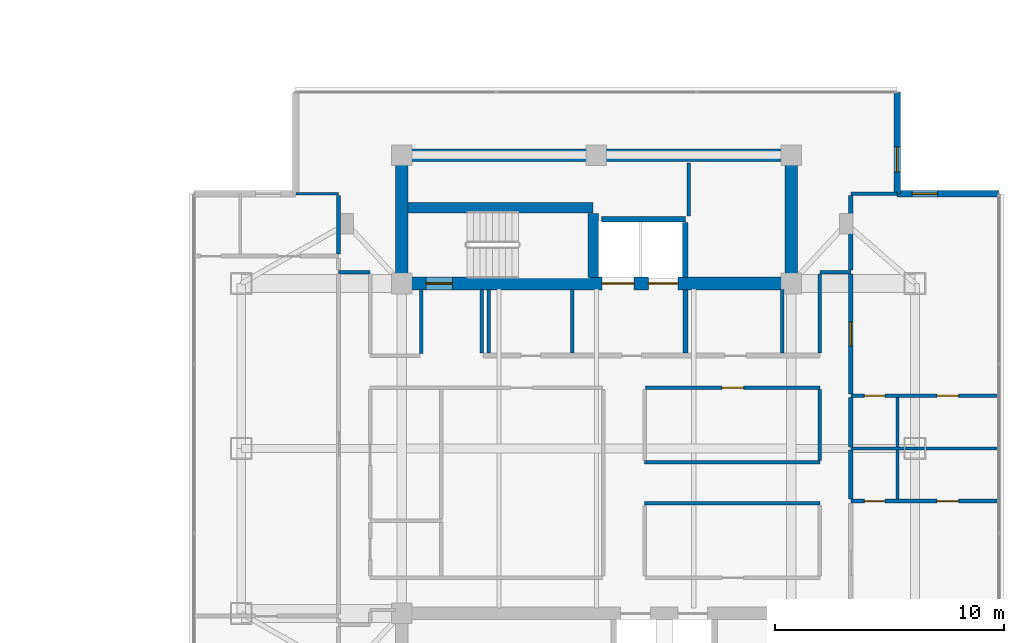
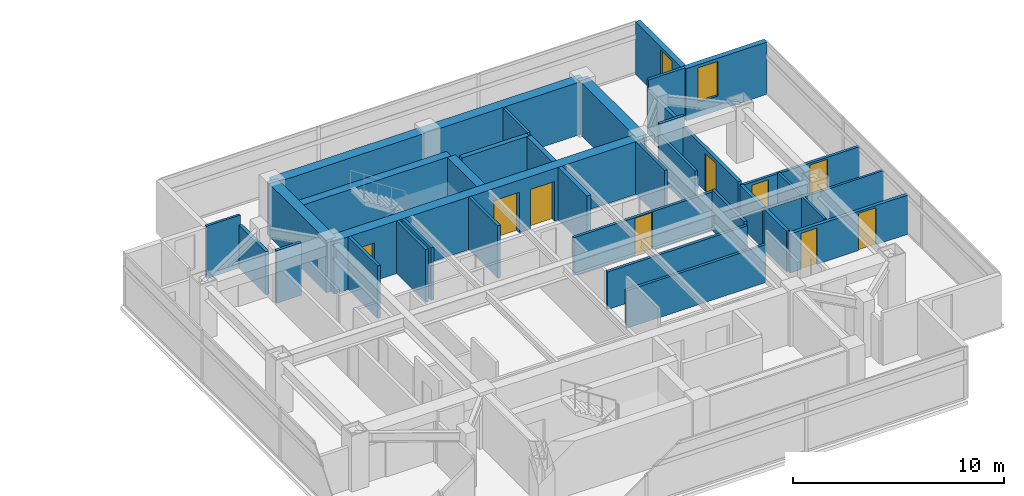
# One storey, part 17 of 24: 36 walls, 9 doors, 2 windows, 11 openings.
"""IFC4 building model written with IfcOpenShell, lengths in metres."""

import ifcopenshell
import ifcopenshell.guid

model = None  # the IFC model being written
_history = None  # IfcOwnerHistory: only IFC2X3 demands one
_inside = {}  # id of a spatial element -> (the spatial element, [elements in it])
_under = {}  # id of a project, library or spatial element -> (it, [spatial elements below it])
_declared = {}  # id of a project -> (the project, [libraries it declares])
_typed = {}  # id of a type object -> (the type object, [elements of that type])
_made_of = {}  # id of a material, layer set ... -> (it, [elements and type objects made of it])


def new_model(schema):
    """Start an empty IFC model of exactly this schema.

    Asked for "IFC4X3", IfcOpenShell would pick the latest addendum, in which some entities
    have other attributes; the version numbers below select the first issue.
    IFC2X3 requires an IfcOwnerHistory on every rooted entity: one is made here for all.
    """
    global model, _history
    if schema == "IFC4X3":
        model = ifcopenshell.file(schema_version=(4, 3, 0, 0))
    else:
        model = ifcopenshell.file(schema=schema)
    _inside.clear()
    _under.clear()
    _declared.clear()
    _typed.clear()
    _made_of.clear()
    _history = None
    if model.schema == "IFC2X3":
        org = make("IfcOrganization", Name="unknown")
        user = make(
            "IfcPersonAndOrganization",
            ThePerson=make("IfcPerson", FamilyName="unknown"),
            TheOrganization=org,
        )
        app = make(
            "IfcApplication",
            ApplicationDeveloper=org,
            Version="unknown",
            ApplicationFullName="unknown",
            ApplicationIdentifier="unknown",
        )
        _history = make(
            "IfcOwnerHistory",
            OwningUser=user,
            OwningApplication=app,
            ChangeAction="ADDED",
            CreationDate=0,
        )
    return model


def make(cls, **values):
    """One entity of the class cls with the attributes given. An attribute that is None is left unset."""
    return model.create_entity(
        cls, **{name: value for name, value in values.items() if value is not None}
    )


def rooted(cls, **values):
    """An entity with a GlobalId (a new one), such as an element, a storey or a relation."""
    return make(cls, GlobalId=ifcopenshell.guid.new(), OwnerHistory=_history, **values)


def si_unit(unit_type, name, prefix=None):
    """IfcSIUnit, for example si_unit("LENGTHUNIT", "METRE", prefix="MILLI")."""
    return make("IfcSIUnit", UnitType=unit_type, Prefix=prefix, Name=name)


def assignment(units):
    """IfcUnitAssignment: the units of a project."""
    return None if units is None else make("IfcUnitAssignment", Units=units)


def point(xyz):
    """IfcCartesianPoint."""
    return None if xyz is None else make("IfcCartesianPoint", Coordinates=xyz)


def direction(xyz):
    """IfcDirection."""
    return None if xyz is None else make("IfcDirection", DirectionRatios=xyz)


def frame(location, z_axis=None, x_axis=None):
    """IfcAxis2Placement3D, a coordinate frame: its origin and axes. An axis left out is left unset."""
    return make(
        "IfcAxis2Placement3D",
        Location=point(location),
        Axis=direction(z_axis),
        RefDirection=direction(x_axis),
    )


def frame_2d(location, x_axis=None):
    """IfcAxis2Placement2D, a coordinate frame in the plane: its origin and x axis."""
    return make(
        "IfcAxis2Placement2D", Location=point(location), RefDirection=direction(x_axis)
    )


def origin():
    """The frame at (0, 0, 0) with its axes left unset."""
    return frame((0.0, 0.0, 0.0))


def place(relative_to, where):
    """IfcLocalPlacement: puts the frame where relative to a parent placement (None: the world)."""
    return make(
        "IfcLocalPlacement", PlacementRelTo=relative_to, RelativePlacement=where
    )


def context(
    kind, dimensions, precision=None, world=None, true_north=None, identifier=None
):
    """IfcGeometricRepresentationContext, for example the 3D "Model" context."""
    return make(
        "IfcGeometricRepresentationContext",
        ContextIdentifier=identifier,
        ContextType=kind,
        CoordinateSpaceDimension=dimensions,
        Precision=precision,
        WorldCoordinateSystem=world,
        TrueNorth=true_north,
    )


def subcontext(parent, identifier, kind, view, scale=None):
    """IfcGeometricRepresentationSubContext, for example "Body" below "Model"."""
    return make(
        "IfcGeometricRepresentationSubContext",
        ContextIdentifier=identifier,
        ContextType=kind,
        ParentContext=parent,
        TargetScale=scale,
        TargetView=view,
    )


def project(units=None, contexts=None):
    """IfcProject with its units and contexts."""
    return rooted(
        "IfcProject",
        Name="project",
        RepresentationContexts=contexts,
        UnitsInContext=assignment(units),
    )


def spatial(cls, under=None, at=None, **own):
    """A site, building, storey or space (cls), placed at a placement, below another one or the project."""
    s = rooted(cls, ObjectPlacement=at, **own)
    if under is not None:
        _under.setdefault(under.id(), (under, []))[1].append(s)
    return s


def profile(cls, at=None, kind="AREA", **sizes):
    """A parametric profile (cls). Its sizes go by their IFC names, for example OverallWidth=200.0."""
    return make(cls, ProfileType=kind, Position=at, **sizes)


def rectangle(**sizes):
    """IfcRectangleProfileDef."""
    return profile("IfcRectangleProfileDef", **sizes)


def extrude(swept, where, along, depth):
    """IfcExtrudedAreaSolid: the profile swept, set in the frame where, extruded along a direction by depth."""
    return make(
        "IfcExtrudedAreaSolid",
        SweptArea=swept,
        Position=where,
        ExtrudedDirection=direction(along),
        Depth=depth,
    )


def shape(context_of_items, identifier, shape_type, items):
    """IfcShapeRepresentation: the items that make up one representation, for example the "Body"."""
    return make(
        "IfcShapeRepresentation",
        ContextOfItems=context_of_items,
        RepresentationIdentifier=identifier,
        RepresentationType=shape_type,
        Items=items,
    )


def material(Name=None, Category=None):
    """IfcMaterial."""
    return make("IfcMaterial", Name=Name, Category=Category)


def layer(
    of_material, thickness, ventilated=None, Name=None, Category=None, Priority=None
):
    """IfcMaterialLayer: one layer of a wall or slab, of a material (None: an air gap)."""
    return make(
        "IfcMaterialLayer",
        Material=of_material,
        LayerThickness=thickness,
        IsVentilated=ventilated,
        Name=Name,
        Category=Category,
        Priority=Priority,
    )


def layer_set(layers, Name=None):
    """IfcMaterialLayerSet."""
    return make("IfcMaterialLayerSet", MaterialLayers=layers, LayerSetName=Name)


def made_of(thing, what):
    """Note that an element or type object is made of a material, layer set ...; save() writes the relation."""
    if what is not None:
        _made_of.setdefault(what.id(), (what, []))[1].append(thing)
    return thing


def type_object(cls, material=None, **own):
    """A type object (cls), such as IfcWallType, which elements share."""
    return made_of(rooted(cls, **own), material)


def element(
    cls,
    number,
    at=None,
    inside=None,
    cuts=None,
    type_object=None,
    material=None,
    context=None,
    identifier="Body",
    shape_type=None,
    held_by="IfcProductDefinitionShape",
    body=None,
    shapes=None,
    **own,
):
    """One element of the class cls, such as IfcWall. Its Tag is "e" and its number.

    at: its placement. inside: the storey or other place that contains it. cuts: it is an
    opening in that element (IfcRelVoidsElement). A single representation is given by context,
    identifier, shape_type and body (its items); several are given by shapes. held_by: the class
    of the entity that holds the representations. save() writes the other relations.
    """
    e = rooted(cls, Tag="e%d" % number, ObjectPlacement=at, **own)
    if body is not None:
        shapes = [shape(context, identifier, shape_type, body)]
    if shapes is not None:
        e.Representation = make(held_by, Representations=shapes)
    if inside is not None:
        _inside.setdefault(inside.id(), (inside, []))[1].append(e)
    if cuts is not None:
        rooted(
            "IfcRelVoidsElement", RelatingBuildingElement=cuts, RelatedOpeningElement=e
        )
    if type_object is not None:
        _typed.setdefault(type_object.id(), (type_object, []))[1].append(e)
    return made_of(e, material)


def fill(opening, filler):
    """IfcRelFillsElement: the door or window that sits in an opening."""
    return rooted(
        "IfcRelFillsElement",
        RelatingOpeningElement=opening,
        RelatedBuildingElement=filler,
    )


def aggregate(whole, parts):
    """IfcRelAggregates: a whole, such as a stair, and the parts it consists of."""
    return rooted("IfcRelAggregates", RelatingObject=whole, RelatedObjects=parts)


def save(model, path):
    """Write the relations noted so far, then the file.

    IfcRelAggregates (storeys below a building ...), IfcRelContainedInSpatialStructure (elements
    in a storey), IfcRelDefinesByType, IfcRelAssociatesMaterial and IfcRelDeclares: one each for
    every whole, place, type object, material and project.
    """
    for whole, parts in _under.values():
        aggregate(whole, parts)
    for where, things in _inside.values():
        rooted(
            "IfcRelContainedInSpatialStructure",
            RelatedElements=things,
            RelatingStructure=where,
        )
    for kind, things in _typed.values():
        rooted("IfcRelDefinesByType", RelatedObjects=things, RelatingType=kind)
    for what, things in _made_of.values():
        rooted("IfcRelAssociatesMaterial", RelatedObjects=things, RelatingMaterial=what)
    for by, libraries in _declared.values():
        rooted("IfcRelDeclares", RelatingContext=by, RelatedDefinitions=libraries)
    model.write(path)


model = new_model("IFC4")

# Units and contexts
model_context = context("Model", 3, precision=1e-05, world=origin(), true_north=direction((0.0, 1.0)))
body_context = subcontext(model_context, "Body", "Model", "MODEL_VIEW")
ifc_project = project(units=[si_unit("LENGTHUNIT", "METRE"), si_unit("AREAUNIT", "SQUARE_METRE"), si_unit("VOLUMEUNIT", "CUBIC_METRE"), si_unit("PLANEANGLEUNIT", "RADIAN"), si_unit("MASSUNIT", "GRAM", prefix="KILO")], contexts=[model_context])

# Site, building, storey
site_placement = place(None, origin())
site = spatial("IfcSite", under=ifc_project, at=site_placement, CompositionType="ELEMENT")
building_placement = place(site_placement, origin())
building = spatial("IfcBuilding", under=site, at=building_placement, Name="Mirazonda Arch Towers", CompositionType="ELEMENT")
storey_placement = place(building_placement, frame((0.0, 0.0, 199.89990234375)))
storey = spatial("IfcBuildingStorey", under=building, at=storey_placement, Name="L57", CompositionType="ELEMENT", Elevation=199.89990234375)

# Walls
ifc_material_1 = material(Name="Concrete C50/60", Category="concrete")
ifc_layer_1 = layer(ifc_material_1, 0.449951171875, Name="WALL-CORE-450")
ifc_layer_set_1 = layer_set([ifc_layer_1], Name="Concrete C50/60")
wall_type_1 = type_object("IfcWallType", Name="WALL-CORE-450", PredefinedType="SHEAR", material=ifc_layer_set_1)
wall_1_placement = place(storey_placement, frame((68.27001953125, 38.5, 0.0), z_axis=(0.0, 0.0, 1.0), x_axis=(1.0, 0.0, 0.0)))
element("IfcWall", 1, at=wall_1_placement, inside=storey, type_object=wall_type_1, Name="L57 Stair Core Shear Wall 046", PredefinedType="SHEAR", context=body_context, shape_type="SweptSolid", body=[
    extrude(rectangle(XDim=8.090087890625, YDim=0.449951171875, at=frame_2d((4.044921875, 0.0))), origin(), (0.0, 0.0, 1.0), 3.050048828125),
])
wall_2_placement = place(storey_placement, frame((76.360107421875, 35.469970703125, 0.0), z_axis=(0.0, 0.0, 1.0), x_axis=(0.0, 1.0, 0.0)))
element("IfcWall", 2, at=wall_2_placement, inside=storey, type_object=wall_type_1, Name="L57 Stair Core Shear Wall 124", PredefinedType="SHEAR", context=body_context, shape_type="SweptSolid", body=[
    extrude(rectangle(XDim=2.794921875, YDim=0.449951171875, at=frame_2d((1.3974609375, 0.0))), origin(), (0.0, 0.0, 1.0), 3.050048828125),
])
ifc_layer_2 = layer(ifc_material_1, 0.550048828125, Name="WALL-CORE-550")
ifc_layer_set_2 = layer_set([ifc_layer_2], Name="Concrete C50/60")
wall_type_2 = type_object("IfcWallType", Name="WALL-CORE-550", PredefinedType="SHEAR", material=ifc_layer_set_2)
wall_3_placement = place(storey_placement, frame((68.0, 40.800048828125, 0.0), z_axis=(0.0, 0.0, 1.0), x_axis=(1.0, 0.0, 0.0)))
element("IfcWall", 3, at=wall_3_placement, inside=storey, type_object=wall_type_2, Name="L57 T2N-N Core Shear Wall", PredefinedType="SHEAR", context=body_context, shape_type="SweptSolid", body=[
    extrude(rectangle(XDim=17.0, YDim=0.550048828125, at=frame_2d((8.5, 0.0))), origin(), (0.0, 0.0, 1.0), 3.050048828125),
])
for number, where, z_axis, x_axis, name in (
    (4, (68.0, 35.199951171875, 0.0), (0.0, 0.0, 1.0), (0.0, 1.0, 0.0), "L57 T2N-W Core Shear Wall"),
    (5, (85.0, 35.199951171875, 0.0), (0.0, 0.0, 1.0), (0.0, 1.0, 0.0), "L57 T2N-E Core Shear Wall"),
):
    element("IfcWall", number, at=place(storey_placement, frame(where, z_axis=z_axis, x_axis=x_axis)), inside=storey, type_object=wall_type_2, Name=name, PredefinedType="SHEAR", context=body_context, shape_type="SweptSolid", body=[
        extrude(rectangle(XDim=5.60009765625, YDim=0.550048828125, at=frame_2d((2.800048828125, 0.0))), origin(), (0.0, 0.0, 1.0), 3.050048828125),
    ])

# Wall, openings, doors
wall_4_placement = place(storey_placement, frame((68.0, 35.199951171875, 0.0), z_axis=(0.0, 0.0, 1.0), x_axis=(1.0, 0.0, 0.0)))
wall_4 = element("IfcWall", 6, at=wall_4_placement, inside=storey, type_object=wall_type_2, Name="L57 T2N-S Core Shear Wall", PredefinedType="SHEAR", context=body_context, shape_type="SweptSolid", body=[
    extrude(rectangle(XDim=17.0, YDim=0.550048828125, at=frame_2d((8.5, 0.0))), origin(), (0.0, 0.0, 1.0), 3.050048828125),
])
opening_1_placement = place(wall_4_placement, frame((1.06005859375, 0.0, 0.0)))
opening_1 = element("IfcOpeningElement", 7, at=opening_1_placement, cuts=wall_4, Name="Opening DR-135", PredefinedType="OPENING", context=body_context, shape_type="SweptSolid", body=[
    extrude(rectangle(XDim=1.14990234375, YDim=2.199951171875, at=frame_2d((0.574951171875, 1.10009765625))), frame((0.0, 0.284912109375, 0.0), z_axis=(0.0, -1.0, 0.0), x_axis=(1.0, 0.0, 0.0)), (0.0, 0.0, 1.0), 0.570068359375),
])
opening_2_placement = place(wall_4_placement, frame((8.75, 0.0, 0.0)))
opening_2 = element("IfcOpeningElement", 8, at=opening_2_placement, cuts=wall_4, Name="Opening LD-112", PredefinedType="OPENING", context=body_context, shape_type="SweptSolid", body=[
    extrude(rectangle(XDim=1.39990234375, YDim=2.35009765625, at=frame_2d((0.699951171875, 1.175048828125))), frame((0.0, 0.284912109375, 0.0), z_axis=(0.0, -1.0, 0.0), x_axis=(1.0, 0.0, 0.0)), (0.0, 0.0, 1.0), 0.570068359375),
])
opening_3_placement = place(wall_4_placement, frame((10.77001953125, 0.0, 0.0)))
opening_3 = element("IfcOpeningElement", 9, at=opening_3_placement, cuts=wall_4, Name="Opening LD-111", PredefinedType="OPENING", context=body_context, shape_type="SweptSolid", body=[
    extrude(rectangle(XDim=1.300048828125, YDim=2.300048828125, at=frame_2d((0.64990234375, 1.14990234375))), frame((0.0, 0.284912109375, 0.0), z_axis=(0.0, -1.0, 0.0), x_axis=(1.0, 0.0, 0.0)), (0.0, 0.0, 1.0), 0.570068359375),
])
ifc_material_2 = material(Name="Architectural Brushed Steel S355", Category="steel")
door_type_1 = type_object("IfcDoorType", Name="DOOR-LIFT-FFL-1400", OperationType="NOTDEFINED", PredefinedType="DOOR", material=ifc_material_2)
door_1_placement = place(opening_2_placement, origin())
door_1 = element("IfcDoor", 10, at=door_1_placement, inside=storey, type_object=door_type_1, Name="L57 Lift Landing Sliding Door FFL-T2", OperationType="DOUBLE_DOOR_SLIDING", OverallHeight=2.35009765625, OverallWidth=1.39990234375, PredefinedType="DOOR", context=body_context, shape_type="SweptSolid", body=[
    extrude(rectangle(XDim=1.39990234375, YDim=2.35009765625, at=frame_2d((0.699951171875, 1.175048828125))), frame((0.0, 0.02490234375, 0.0), z_axis=(0.0, -1.0, 0.0), x_axis=(1.0, 0.0, 0.0)), (0.0, 0.0, 1.0), 0.050048828125),
])
fill(opening_2, door_1)
door_type_2 = type_object("IfcDoorType", Name="DOOR-LIFT-LAND-1300", OperationType="NOTDEFINED", PredefinedType="DOOR", material=ifc_material_2)
door_2_placement = place(opening_3_placement, origin())
door_2 = element("IfcDoor", 11, at=door_2_placement, inside=storey, type_object=door_type_2, Name="L57 Lift Landing Sliding Door SVL-T2", OperationType="DOUBLE_DOOR_SLIDING", OverallHeight=2.300048828125, OverallWidth=1.300048828125, PredefinedType="DOOR", context=body_context, shape_type="SweptSolid", body=[
    extrude(rectangle(XDim=1.300048828125, YDim=2.300048828125, at=frame_2d((0.64990234375, 1.14990234375))), frame((0.0, 0.02490234375, 0.0), z_axis=(0.0, -1.0, 0.0), x_axis=(1.0, 0.0, 0.0)), (0.0, 0.0, 1.0), 0.050048828125),
])
fill(opening_3, door_2)
door_type_3 = type_object("IfcDoorType", Name="DOOR-STAIR-FD90-1150", OperationType="NOTDEFINED", PredefinedType="DOOR", material=ifc_material_2)
door_3_placement = place(opening_1_placement, origin())
door_3 = element("IfcDoor", 12, at=door_3_placement, inside=storey, type_object=door_type_3, Name="L57 East Protected Stair North Door", OperationType="SINGLE_SWING_LEFT", OverallHeight=2.199951171875, OverallWidth=1.14990234375, PredefinedType="DOOR", context=body_context, shape_type="SweptSolid", body=[
    extrude(rectangle(XDim=1.14990234375, YDim=2.199951171875, at=frame_2d((0.574951171875, 1.10009765625))), frame((0.0, 0.02490234375, 0.0), z_axis=(0.0, -1.0, 0.0), x_axis=(1.0, 0.0, 0.0)), (0.0, 0.0, 1.0), 0.050048828125),
])
fill(opening_1, door_3)

# Wall, opening, window
ifc_material_3 = material(Name="Precast Concrete C40/50", Category="concrete")
ifc_layer_3 = layer(ifc_material_3, 0.280029296875, Name="WALL-EXT-WALL-280")
ifc_layer_set_3 = layer_set([ifc_layer_3], Name="Precast Concrete C40/50")
wall_type_3 = type_object("IfcWallType", Name="WALL-EXT-WALL-280", PredefinedType="SOLIDWALL", material=ifc_layer_set_3)
wall_5_placement = place(storey_placement, frame((89.627685546875, 39.115234375, 0.0), z_axis=(0.0, 0.0, 1.0), x_axis=(0.0, 1.0, 0.0)))
wall_5 = element("IfcWall", 13, at=wall_5_placement, inside=storey, type_object=wall_type_3, Name="L57 T2 Notched NE Corner Wall WL-L57-T2-CNE", PredefinedType="SOLIDWALL", context=body_context, shape_type="SweptSolid", body=[
    extrude(rectangle(XDim=4.439697265625, YDim=0.280029296875, at=frame_2d((2.2197265625, 0.0))), origin(), (0.0, 0.0, 1.0), 3.030029296875),
])
opening_4_placement = place(wall_5_placement, frame((0.949951171875, 0.0, 0.85009765625)))
opening_4 = element("IfcOpeningElement", 14, at=opening_4_placement, cuts=wall_5, Name="Opening WN-108", PredefinedType="OPENING", context=body_context, shape_type="SweptSolid", body=[
    extrude(rectangle(XDim=1.10009765625, YDim=2.0, at=frame_2d((0.550048828125, 1.0))), frame((0.0, 0.14990234375, 0.0), z_axis=(0.0, -1.0, 0.0), x_axis=(1.0, 0.0, 0.0)), (0.0, 0.0, 1.0), 0.300048828125),
])
ifc_material_4 = material(Name="Insulated Low-E Solar Glass", Category="glass")
window_type = type_object("IfcWindowType", Name="WIN-NOTCH-1100x2000", PartitioningType="SINGLE_PANEL", PredefinedType="WINDOW", material=ifc_material_4)
window_1_placement = place(opening_4_placement, origin())
window_1 = element("IfcWindow", 15, at=window_1_placement, inside=storey, type_object=window_type, Name="L57 Punched Facade Window WN-L57-T2-CNE", OverallHeight=2.0, OverallWidth=1.10009765625, PartitioningType="SINGLE_PANEL", PredefinedType="WINDOW", context=body_context, shape_type="SweptSolid", body=[
    extrude(rectangle(XDim=1.10009765625, YDim=2.0, at=frame_2d((0.550048828125, 1.0))), frame((0.0, 0.030029296875, 0.0), z_axis=(0.0, -1.0, 0.0), x_axis=(1.0, 0.0, 0.0)), (0.0, 0.0, 1.0), 0.06005859375),
])
fill(opening_4, window_1)

wall_6_placement = place(storey_placement, frame((94.0673828125, 39.115234375, 0.0), z_axis=(0.0, 0.0, 1.0), x_axis=(-1.0, 0.0, 0.0)))
wall_6 = element("IfcWall", 16, at=wall_6_placement, inside=storey, type_object=wall_type_3, Name="L57 T2 Corner Notch Return Wall WL-L57-T2-CNE2", PredefinedType="SOLIDWALL", context=body_context, shape_type="SweptSolid", body=[
    extrude(rectangle(XDim=4.439697265625, YDim=0.280029296875, at=frame_2d((2.2197265625, 0.0))), origin(), (0.0, 0.0, 1.0), 3.030029296875),
])
opening_5_placement = place(wall_6_placement, frame((2.68994140625, 0.0, 0.85009765625)))
opening_5 = element("IfcOpeningElement", 17, at=opening_5_placement, cuts=wall_6, Name="Opening WN-108", PredefinedType="OPENING", context=body_context, shape_type="SweptSolid", body=[
    extrude(rectangle(XDim=1.10009765625, YDim=2.0, at=frame_2d((0.550048828125, 1.0))), frame((0.0, 0.14990234375, 0.0), z_axis=(0.0, -1.0, 0.0), x_axis=(1.0, 0.0, 0.0)), (0.0, 0.0, 1.0), 0.300048828125),
])
window_2_placement = place(opening_5_placement, origin())
window_2 = element("IfcWindow", 18, at=window_2_placement, inside=storey, type_object=window_type, Name="L57 Punched Facade Window WN-L57-T2-CNE2", OverallHeight=2.0, OverallWidth=1.10009765625, PartitioningType="SINGLE_PANEL", PredefinedType="WINDOW", context=body_context, shape_type="SweptSolid", body=[
    extrude(rectangle(XDim=1.10009765625, YDim=2.0, at=frame_2d((0.550048828125, 1.0))), frame((0.0, 0.030029296875, 0.0), z_axis=(0.0, -1.0, 0.0), x_axis=(1.0, 0.0, 0.0)), (0.0, 0.0, 1.0), 0.06005859375),
])
fill(opening_5, window_2)

# Walls
ifc_material_5 = material(Name="Concrete C40/50", Category="concrete")
ifc_layer_4 = layer(ifc_material_5, 0.219970703125, Name="WALL-FFL-220")
ifc_layer_set_4 = layer_set([ifc_layer_4], Name="Concrete C40/50")
wall_type_4 = type_object("IfcWallType", Name="WALL-FFL-220", PredefinedType="SOLIDWALL", material=ifc_layer_set_4)
wall_7_placement = place(storey_placement, frame((80.3798828125, 32.169921875, 0.0), z_axis=(0.0, 0.0, 1.0), x_axis=(0.0, 1.0, 0.0)))
element("IfcWall", 19, at=wall_7_placement, inside=storey, type_object=wall_type_4, Name="L57 Interior Partition 129", PredefinedType="SOLIDWALL", context=body_context, shape_type="SweptSolid", body=[
    extrude(rectangle(XDim=2.760009765625, YDim=0.219970703125, at=frame_2d((1.3798828125, 0.0))), origin(), (0.0, 0.0, 1.0), 3.050048828125),
])
ifc_material_6 = material(Name="Fire-Rated Gypsum Stud Partition")
ifc_layer_5 = layer(ifc_material_6, 0.14990234375, Name="WALL-PART-CORR-150")
ifc_layer_set_5 = layer_set([ifc_layer_5], Name="Fire-Rated Gypsum Stud Partition")
wall_type_5 = type_object("IfcWallType", Name="WALL-PART-CORR-150", PredefinedType="PARTITIONING", material=ifc_layer_set_5)
for number, where, z_axis, x_axis, name in (
    (20, (78.60009765625, 25.60009765625, 0.0), (0.0, 0.0, 1.0), (1.0, 0.0, 0.0), "L57 Interior Partition 026"),
    (21, (78.60009765625, 27.39990234375, 0.0), (0.0, 0.0, 1.0), (1.0, 0.0, 0.0), "L57 Interior Partition 028"),
):
    element("IfcWall", number, at=place(storey_placement, frame(where, z_axis=z_axis, x_axis=x_axis)), inside=storey, type_object=wall_type_5, Name=name, PredefinedType="PARTITIONING", context=body_context, shape_type="SweptSolid", body=[
        extrude(rectangle(XDim=7.64990234375, YDim=0.14990234375, at=frame_2d((3.824951171875, 0.0))), origin(), (0.0, 0.0, 1.0), 2.18603515625),
    ])

# Wall, openings, doors
wall_8_placement = place(storey_placement, frame((87.60009765625, 30.300048828125, 0.0), z_axis=(0.0, 0.0, 1.0), x_axis=(1.0, 0.0, 0.0)))
wall_8 = element("IfcWall", 22, at=wall_8_placement, inside=storey, type_object=wall_type_5, Name="L57 Interior Partition 032", PredefinedType="PARTITIONING", context=body_context, shape_type="SweptSolid", body=[
    extrude(rectangle(XDim=6.466796875, YDim=0.14990234375, at=frame_2d((3.2333984375, 0.0))), origin(), (0.0, 0.0, 1.0), 2.26904296875),
])
opening_6_placement = place(wall_8_placement, frame((3.758544921875, 0.0, 0.0)))
opening_6 = element("IfcOpeningElement", 23, at=opening_6_placement, cuts=wall_8, Name="Opening DR-104", PredefinedType="OPENING", context=body_context, shape_type="SweptSolid", body=[
    extrude(rectangle(XDim=0.949951171875, YDim=2.14990234375, at=frame_2d((0.47509765625, 1.074951171875))), frame((0.0, 0.0849609375, 0.0), z_axis=(0.0, -1.0, 0.0), x_axis=(1.0, 0.0, 0.0)), (0.0, 0.0, 1.0), 0.169921875),
])
opening_7_placement = place(wall_8_placement, frame((0.590087890625, 0.0, 0.0)))
opening_7 = element("IfcOpeningElement", 24, at=opening_7_placement, cuts=wall_8, Name="Opening DR-120", PredefinedType="OPENING", context=body_context, shape_type="SweptSolid", body=[
    extrude(rectangle(XDim=0.89990234375, YDim=2.10009765625, at=frame_2d((0.449951171875, 1.050048828125))), frame((0.0, 0.0849609375, 0.0), z_axis=(0.0, -1.0, 0.0), x_axis=(1.0, 0.0, 0.0)), (0.0, 0.0, 1.0), 0.169921875),
])
door_type_4 = type_object("IfcDoorType", Name="DOOR-ROOM-950", OperationType="NOTDEFINED", PredefinedType="DOOR", material=ifc_material_2)
door_4_placement = place(opening_6_placement, origin())
door_4 = element("IfcDoor", 25, at=door_4_placement, inside=storey, type_object=door_type_4, Name="L57 Studio 2 Galley Kitchen Door", OperationType="SINGLE_SWING_LEFT", OverallHeight=2.14990234375, OverallWidth=0.949951171875, PredefinedType="DOOR", context=body_context, shape_type="SweptSolid", body=[
    extrude(rectangle(XDim=0.949951171875, YDim=2.14990234375, at=frame_2d((0.47509765625, 1.074951171875))), frame((0.0, 0.02490234375, 0.0), z_axis=(0.0, -1.0, 0.0), x_axis=(1.0, 0.0, 0.0)), (0.0, 0.0, 1.0), 0.050048828125),
])
fill(opening_6, door_4)
door_type_5 = type_object("IfcDoorType", Name="DOOR-WC-900", OperationType="NOTDEFINED", PredefinedType="DOOR", material=ifc_material_2)
door_5_placement = place(opening_7_placement, origin())
door_5 = element("IfcDoor", 26, at=door_5_placement, inside=storey, type_object=door_type_5, Name="L57 Studio 2 Bathroom Door", OperationType="SINGLE_SWING_RIGHT", OverallHeight=2.10009765625, OverallWidth=0.89990234375, PredefinedType="DOOR", context=body_context, shape_type="SweptSolid", body=[
    extrude(rectangle(XDim=0.89990234375, YDim=2.10009765625, at=frame_2d((0.449951171875, 1.050048828125))), frame((0.0, 0.02490234375, 0.0), z_axis=(0.0, -1.0, 0.0), x_axis=(1.0, 0.0, 0.0)), (0.0, 0.0, 1.0), 0.050048828125),
])
fill(opening_7, door_5)

# Wall, opening, door
wall_9_placement = place(storey_placement, frame((78.639892578125, 30.64990234375, 0.0), z_axis=(0.0, 0.0, 1.0), x_axis=(1.0, 0.0, 0.0)))
wall_9 = element("IfcWall", 27, at=wall_9_placement, inside=storey, type_object=wall_type_5, Name="L57 Interior Partition 034", PredefinedType="PARTITIONING", context=body_context, shape_type="SweptSolid", body=[
    extrude(rectangle(XDim=7.610107421875, YDim=0.14990234375, at=frame_2d((3.80517578125, 0.0))), origin(), (0.0, 0.0, 1.0), 2.18603515625),
])
opening_8_placement = place(wall_9_placement, frame((3.330078125, 0.0, 0.0)))
opening_8 = element("IfcOpeningElement", 28, at=opening_8_placement, cuts=wall_9, Name="Opening DR-104", PredefinedType="OPENING", context=body_context, shape_type="SweptSolid", body=[
    extrude(rectangle(XDim=0.949951171875, YDim=2.14990234375, at=frame_2d((0.47509765625, 1.074951171875))), frame((0.0, 0.0849609375, 0.0), z_axis=(0.0, -1.0, 0.0), x_axis=(1.0, 0.0, 0.0)), (0.0, 0.0, 1.0), 0.169921875),
])
door_6_placement = place(opening_8_placement, origin())
door_6 = element("IfcDoor", 29, at=door_6_placement, inside=storey, type_object=door_type_4, Name="L57 L57 Tower 2 North-East Study Door", OperationType="SINGLE_SWING_RIGHT", OverallHeight=2.14990234375, OverallWidth=0.949951171875, PredefinedType="DOOR", context=body_context, shape_type="SweptSolid", body=[
    extrude(rectangle(XDim=0.949951171875, YDim=2.14990234375, at=frame_2d((0.47509765625, 1.074951171875))), frame((0.0, 0.02490234375, 0.0), z_axis=(0.0, -1.0, 0.0), x_axis=(1.0, 0.0, 0.0)), (0.0, 0.0, 1.0), 0.050048828125),
])
fill(opening_8, door_6)

# Walls
wall_10_placement = place(storey_placement, frame((65.25, 35.699951171875, 0.0), z_axis=(0.0, 0.0, 1.0), x_axis=(1.0, 0.0, 0.0)))
element("IfcWall", 30, at=wall_10_placement, inside=storey, type_object=wall_type_5, Name="L57 Interior Partition 042", PredefinedType="PARTITIONING", context=body_context, shape_type="SweptSolid", body=[
    extrude(rectangle(XDim=1.3701171875, YDim=0.14990234375, at=frame_2d((0.68505859375, 0.0))), origin(), (0.0, 0.0, 1.0), 3.050048828125),
])
wall_11_placement = place(storey_placement, frame((86.25, 35.699951171875, 0.0), z_axis=(0.0, 0.0, 1.0), x_axis=(1.0, 0.0, 0.0)))
element("IfcWall", 31, at=wall_11_placement, inside=storey, type_object=wall_type_5, Name="L57 Interior Partition 043", PredefinedType="PARTITIONING", context=body_context, shape_type="SweptSolid", body=[
    extrude(rectangle(XDim=1.35009765625, YDim=0.14990234375, at=frame_2d((0.675048828125, 0.0))), origin(), (0.0, 0.0, 1.0), 3.050048828125),
])
wall_12_placement = place(storey_placement, frame((87.60009765625, 39.114990234375, 0.0), z_axis=(0.0, 0.0, 1.0), x_axis=(1.0, 0.0, 0.0)))
element("IfcWall", 32, at=wall_12_placement, inside=storey, type_object=wall_type_5, Name="L57 Interior Partition 048", PredefinedType="PARTITIONING", context=body_context, shape_type="SweptSolid", body=[
    extrude(rectangle(XDim=2.0078125, YDim=0.14990234375, at=frame_2d((1.00390625, 0.0))), origin(), (0.0, 0.0, 1.0), 3.050048828125),
])
wall_13_placement = place(storey_placement, frame((68.85009765625, 32.135009765625, 0.0), z_axis=(0.0, 0.0, 1.0), x_axis=(0.0, 1.0, 0.0)))
element("IfcWall", 33, at=wall_13_placement, inside=storey, type_object=wall_type_5, Name="L57 Interior Partition 117", PredefinedType="PARTITIONING", context=body_context, shape_type="SweptSolid", body=[
    extrude(rectangle(XDim=2.794921875, YDim=0.14990234375, at=frame_2d((1.3974609375, 0.0))), origin(), (0.0, 0.0, 1.0), 3.050048828125),
])
for number, where, z_axis, x_axis, name in (
    (34, (71.5, 32.169921875, 0.0), (0.0, 0.0, 1.0), (0.0, 1.0, 0.0), "L57 Interior Partition 120"),
    (35, (71.800048828125, 32.169921875, 0.0), (0.0, 0.0, 1.0), (0.0, 1.0, 0.0), "L57 Interior Partition 121"),
    (36, (75.449951171875, 32.169921875, 0.0), (0.0, 0.0, 1.0), (0.0, 1.0, 0.0), "L57 Interior Partition 122"),
):
    element("IfcWall", number, at=place(storey_placement, frame(where, z_axis=z_axis, x_axis=x_axis)), inside=storey, type_object=wall_type_5, Name=name, PredefinedType="PARTITIONING", context=body_context, shape_type="SweptSolid", body=[
        extrude(rectangle(XDim=2.760009765625, YDim=0.14990234375, at=frame_2d((1.3798828125, 0.0))), origin(), (0.0, 0.0, 1.0), 3.050048828125),
    ])
wall_14_placement = place(storey_placement, frame((80.52001953125, 38.135009765625, 0.0), z_axis=(0.0, 0.0, 1.0), x_axis=(0.0, 1.0, 0.0)))
element("IfcWall", 37, at=wall_14_placement, inside=storey, type_object=wall_type_5, Name="L57 Interior Partition 131", PredefinedType="PARTITIONING", context=body_context, shape_type="SweptSolid", body=[
    extrude(rectangle(XDim=2.31494140625, YDim=0.14990234375, at=frame_2d((1.157470703125, 0.0))), origin(), (0.0, 0.0, 1.0), 3.050048828125),
])
wall_15_placement = place(storey_placement, frame((84.60009765625, 32.169921875, 0.0), z_axis=(0.0, 0.0, 1.0), x_axis=(0.0, 1.0, 0.0)))
element("IfcWall", 38, at=wall_15_placement, inside=storey, type_object=wall_type_5, Name="L57 Interior Partition 133", PredefinedType="PARTITIONING", context=body_context, shape_type="SweptSolid", body=[
    extrude(rectangle(XDim=2.760009765625, YDim=0.14990234375, at=frame_2d((1.3798828125, 0.0))), origin(), (0.0, 0.0, 1.0), 3.050048828125),
])
wall_16_placement = place(storey_placement, frame((86.25, 27.485107421875, 0.0), z_axis=(0.0, 0.0, 1.0), x_axis=(0.0, 1.0, 0.0)))
element("IfcWall", 39, at=wall_16_placement, inside=storey, type_object=wall_type_5, Name="L57 Interior Partition 136", PredefinedType="PARTITIONING", context=body_context, shape_type="SweptSolid", body=[
    extrude(rectangle(XDim=3.079833984375, YDim=0.14990234375, at=frame_2d((1.5400390625, 0.0))), origin(), (0.0, 0.0, 1.0), 2.34619140625),
])
wall_17_placement = place(storey_placement, frame((86.25, 32.169921875, 0.0), z_axis=(0.0, 0.0, 1.0), x_axis=(0.0, 1.0, 0.0)))
element("IfcWall", 40, at=wall_17_placement, inside=storey, type_object=wall_type_5, Name="L57 Interior Partition 137", PredefinedType="PARTITIONING", context=body_context, shape_type="SweptSolid", body=[
    extrude(rectangle(XDim=3.445068359375, YDim=0.14990234375, at=frame_2d((1.72265625, 0.0))), origin(), (0.0, 0.0, 1.0), 2.442138671875),
])

# Wall, openings, doors
ifc_material_7 = material(Name="Fire-Rated Gypsum Twin-Stud Assembly")
ifc_layer_6 = layer(ifc_material_7, 0.179931640625, Name="WALL-PART-DEMISE-180")
ifc_layer_set_6 = layer_set([ifc_layer_6], Name="Fire-Rated Gypsum Twin-Stud Assembly")
wall_type_6 = type_object("IfcWallType", Name="WALL-PART-DEMISE-180", PredefinedType="PARTITIONING", material=ifc_layer_set_6)
wall_18_placement = place(storey_placement, frame((87.60009765625, 25.699951171875, 0.0), z_axis=(0.0, 0.0, 1.0), x_axis=(1.0, 0.0, 0.0)))
wall_18 = element("IfcWall", 41, at=wall_18_placement, inside=storey, type_object=wall_type_6, Name="L57 Interior Partition 027", PredefinedType="PARTITIONING", context=body_context, shape_type="SweptSolid", body=[
    extrude(rectangle(XDim=6.466796875, YDim=0.179931640625, at=frame_2d((3.2333984375, 0.0))), origin(), (0.0, 0.0, 1.0), 2.26904296875),
])
opening_9_placement = place(wall_18_placement, frame((3.758544921875, 0.0, 0.0)))
opening_9 = element("IfcOpeningElement", 42, at=opening_9_placement, cuts=wall_18, Name="Opening DR-104", PredefinedType="OPENING", context=body_context, shape_type="SweptSolid", body=[
    extrude(rectangle(XDim=0.949951171875, YDim=2.14990234375, at=frame_2d((0.47509765625, 1.074951171875))), frame((0.0, 0.099853515625, 0.0), z_axis=(0.0, -1.0, 0.0), x_axis=(1.0, 0.0, 0.0)), (0.0, 0.0, 1.0), 0.199951171875),
])
opening_10_placement = place(wall_18_placement, frame((0.590087890625, 0.0, 0.0)))
opening_10 = element("IfcOpeningElement", 43, at=opening_10_placement, cuts=wall_18, Name="Opening DR-120", PredefinedType="OPENING", context=body_context, shape_type="SweptSolid", body=[
    extrude(rectangle(XDim=0.89990234375, YDim=2.10009765625, at=frame_2d((0.449951171875, 1.050048828125))), frame((0.0, 0.099853515625, 0.0), z_axis=(0.0, -1.0, 0.0), x_axis=(1.0, 0.0, 0.0)), (0.0, 0.0, 1.0), 0.199951171875),
])
door_7_placement = place(opening_9_placement, origin())
door_7 = element("IfcDoor", 44, at=door_7_placement, inside=storey, type_object=door_type_4, Name="L57 Studio 1 Galley Kitchen Door", OperationType="SINGLE_SWING_RIGHT", OverallHeight=2.14990234375, OverallWidth=0.949951171875, PredefinedType="DOOR", context=body_context, shape_type="SweptSolid", body=[
    extrude(rectangle(XDim=0.949951171875, YDim=2.14990234375, at=frame_2d((0.47509765625, 1.074951171875))), frame((0.0, 0.02490234375, 0.0), z_axis=(0.0, -1.0, 0.0), x_axis=(1.0, 0.0, 0.0)), (0.0, 0.0, 1.0), 0.050048828125),
])
fill(opening_9, door_7)
door_8_placement = place(opening_10_placement, origin())
door_8 = element("IfcDoor", 45, at=door_8_placement, inside=storey, type_object=door_type_5, Name="L57 Studio 1 Bathroom Door", OperationType="SINGLE_SWING_LEFT", OverallHeight=2.10009765625, OverallWidth=0.89990234375, PredefinedType="DOOR", context=body_context, shape_type="SweptSolid", body=[
    extrude(rectangle(XDim=0.89990234375, YDim=2.10009765625, at=frame_2d((0.449951171875, 1.050048828125))), frame((0.0, 0.02490234375, 0.0), z_axis=(0.0, -1.0, 0.0), x_axis=(1.0, 0.0, 0.0)), (0.0, 0.0, 1.0), 0.050048828125),
])
fill(opening_10, door_8)

# Walls
wall_19_placement = place(storey_placement, frame((65.25, 36.4951171875, 0.0), z_axis=(0.0, 0.0, 1.0), x_axis=(0.0, 1.0, 0.0)))
element("IfcWall", 46, at=wall_19_placement, inside=storey, type_object=wall_type_6, Name="L57 Interior Partition 112", PredefinedType="PARTITIONING", context=body_context, shape_type="SweptSolid", body=[
    extrude(rectangle(XDim=2.54736328125, YDim=0.179931640625, at=frame_2d((1.273681640625, 0.0))), origin(), (0.0, 0.0, 1.0), 2.4931640625),
])
wall_20_placement = place(storey_placement, frame((87.60009765625, 25.800048828125, 0.0), z_axis=(0.0, 0.0, 1.0), x_axis=(0.0, 1.0, 0.0)))
element("IfcWall", 47, at=wall_20_placement, inside=storey, type_object=wall_type_6, Name="L57 Interior Partition 140", PredefinedType="PARTITIONING", context=body_context, shape_type="SweptSolid", body=[
    extrude(rectangle(XDim=2.12744140625, YDim=0.179931640625, at=frame_2d((1.063720703125, 0.0))), origin(), (0.0, 0.0, 1.0), 2.34619140625),
])
wall_21_placement = place(storey_placement, frame((87.60009765625, 28.072509765625, 0.0), z_axis=(0.0, 0.0, 1.0), x_axis=(0.0, 1.0, 0.0)))
element("IfcWall", 48, at=wall_21_placement, inside=storey, type_object=wall_type_6, Name="L57 Interior Partition 141", PredefinedType="PARTITIONING", context=body_context, shape_type="SweptSolid", body=[
    extrude(rectangle(XDim=2.142578125, YDim=0.179931640625, at=frame_2d((1.0712890625, 0.0))), origin(), (0.0, 0.0, 1.0), 2.34619140625),
])

# Wall, opening, door
wall_22_placement = place(storey_placement, frame((87.60009765625, 30.385009765625, 0.0), z_axis=(0.0, 0.0, 1.0), x_axis=(0.0, 1.0, 0.0)))
wall_22 = element("IfcWall", 49, at=wall_22_placement, inside=storey, type_object=wall_type_6, Name="L57 Interior Partition 142", PredefinedType="PARTITIONING", context=body_context, shape_type="SweptSolid", body=[
    extrude(rectangle(XDim=5.22998046875, YDim=0.179931640625, at=frame_2d((2.614990234375, 0.0))), origin(), (0.0, 0.0, 1.0), 2.442138671875),
])
opening_11_placement = place(wall_22_placement, frame((2.090087890625, 0.0, 0.0)))
opening_11 = element("IfcOpeningElement", 50, at=opening_11_placement, cuts=wall_22, Name="Opening DR-121", PredefinedType="OPENING", context=body_context, shape_type="SweptSolid", body=[
    extrude(rectangle(XDim=1.050048828125, YDim=2.199951171875, at=frame_2d((0.52490234375, 1.10009765625))), frame((0.0, 0.099853515625, 0.0), z_axis=(0.0, -1.0, 0.0), x_axis=(1.0, 0.0, 0.0)), (0.0, 0.0, 1.0), 0.199951171875),
])
door_type_6 = type_object("IfcDoorType", Name="DOOR-SUITE-FD60-1050", OperationType="NOTDEFINED", PredefinedType="DOOR", material=ifc_material_2)
door_9_placement = place(opening_11_placement, origin())
door_9 = element("IfcDoor", 51, at=door_9_placement, inside=storey, type_object=door_type_6, Name="L57 Studio Apartment 2 Living Salon Door", OperationType="SINGLE_SWING_RIGHT", OverallHeight=2.199951171875, OverallWidth=1.050048828125, PredefinedType="DOOR", context=body_context, shape_type="SweptSolid", body=[
    extrude(rectangle(XDim=1.050048828125, YDim=2.199951171875, at=frame_2d((0.52490234375, 1.10009765625))), frame((0.0, 0.02490234375, 0.0), z_axis=(0.0, -1.0, 0.0), x_axis=(1.0, 0.0, 0.0)), (0.0, 0.0, 1.0), 0.050048828125),
])
fill(opening_11, door_9)

# Walls
wall_23_placement = place(storey_placement, frame((87.60009765625, 35.784912109375, 0.0), z_axis=(0.0, 0.0, 1.0), x_axis=(0.0, 1.0, 0.0)))
element("IfcWall", 52, at=wall_23_placement, inside=storey, type_object=wall_type_6, Name="L57 Interior Partition 143", PredefinedType="PARTITIONING", context=body_context, shape_type="SweptSolid", body=[
    extrude(rectangle(XDim=3.2451171875, YDim=0.179931640625, at=frame_2d((1.62255859375, 0.0))), origin(), (0.0, 0.0, 1.0), 2.4931640625),
])
ifc_material_8 = material(Name="Acoustic Fire-Rated Gypsum Partition")
ifc_layer_7 = layer(ifc_material_8, 0.125, Name="WALL-PART-UNIT-125")
ifc_layer_set_7 = layer_set([ifc_layer_7], Name="Acoustic Fire-Rated Gypsum Partition")
wall_type_7 = type_object("IfcWallType", Name="WALL-PART-UNIT-125", PredefinedType="PARTITIONING", material=ifc_layer_set_7)
wall_24_placement = place(storey_placement, frame((87.60009765625, 28.0, 0.0), z_axis=(0.0, 0.0, 1.0), x_axis=(1.0, 0.0, 0.0)))
element("IfcWall", 53, at=wall_24_placement, inside=storey, type_object=wall_type_7, Name="L57 Interior Partition 031", PredefinedType="PARTITIONING", context=body_context, shape_type="SweptSolid", body=[
    extrude(rectangle(XDim=6.466796875, YDim=0.125, at=frame_2d((3.2333984375, 0.0))), origin(), (0.0, 0.0, 1.0), 2.26904296875),
])
wall_25_placement = place(storey_placement, frame((63.39208984375, 39.114990234375, 0.0), z_axis=(0.0, 0.0, 1.0), x_axis=(1.0, 0.0, 0.0)))
element("IfcWall", 54, at=wall_25_placement, inside=storey, type_object=wall_type_7, Name="L57 Interior Partition 047", PredefinedType="PARTITIONING", context=body_context, shape_type="SweptSolid", body=[
    extrude(rectangle(XDim=1.85791015625, YDim=0.125, at=frame_2d((0.928955078125, 0.0))), origin(), (0.0, 0.0, 1.0), 3.050048828125),
])
wall_26_placement = place(storey_placement, frame((89.639892578125, 25.800048828125, 0.0), z_axis=(0.0, 0.0, 1.0), x_axis=(0.0, 1.0, 0.0)))
element("IfcWall", 55, at=wall_26_placement, inside=storey, type_object=wall_type_7, Name="L57 Interior Partition 144", PredefinedType="PARTITIONING", context=body_context, shape_type="SweptSolid", body=[
    extrude(rectangle(XDim=2.12744140625, YDim=0.125, at=frame_2d((1.063720703125, 0.0))), origin(), (0.0, 0.0, 1.0), 2.34619140625),
])
wall_27_placement = place(storey_placement, frame((89.639892578125, 28.072509765625, 0.0), z_axis=(0.0, 0.0, 1.0), x_axis=(0.0, 1.0, 0.0)))
element("IfcWall", 56, at=wall_27_placement, inside=storey, type_object=wall_type_7, Name="L57 Interior Partition 145", PredefinedType="PARTITIONING", context=body_context, shape_type="SweptSolid", body=[
    extrude(rectangle(XDim=2.142578125, YDim=0.125, at=frame_2d((1.0712890625, 0.0))), origin(), (0.0, 0.0, 1.0), 2.34619140625),
])
ifc_layer_8 = layer(ifc_material_5, 0.25, Name="WALL-SHAFT-250")
ifc_layer_set_8 = layer_set([ifc_layer_8], Name="Concrete C40/50")
wall_type_8 = type_object("IfcWallType", Name="WALL-SHAFT-250", PredefinedType="SOLIDWALL", material=ifc_layer_set_8)
wall_28_placement = place(storey_placement, frame((76.719970703125, 38.0, 0.0), z_axis=(0.0, 0.0, 1.0), x_axis=(1.0, 0.0, 0.0)))
element("IfcWall", 57, at=wall_28_placement, inside=storey, type_object=wall_type_8, Name="L57 Interior Partition 045", PredefinedType="SOLIDWALL", context=body_context, shape_type="SweptSolid", body=[
    extrude(rectangle(XDim=3.659912109375, YDim=0.25, at=frame_2d((1.830078125, 0.0))), origin(), (0.0, 0.0, 1.0), 3.050048828125),
])
wall_29_placement = place(storey_placement, frame((80.3798828125, 35.469970703125, 0.0), z_axis=(0.0, 0.0, 1.0), x_axis=(0.0, 1.0, 0.0)))
element("IfcWall", 58, at=wall_29_placement, inside=storey, type_object=wall_type_8, Name="L57 Interior Partition 130", PredefinedType="SOLIDWALL", context=body_context, shape_type="SweptSolid", body=[
    extrude(rectangle(XDim=2.39501953125, YDim=0.25, at=frame_2d((1.197509765625, 0.0))), origin(), (0.0, 0.0, 1.0), 3.050048828125),
])

save(model, "model.ifc")
